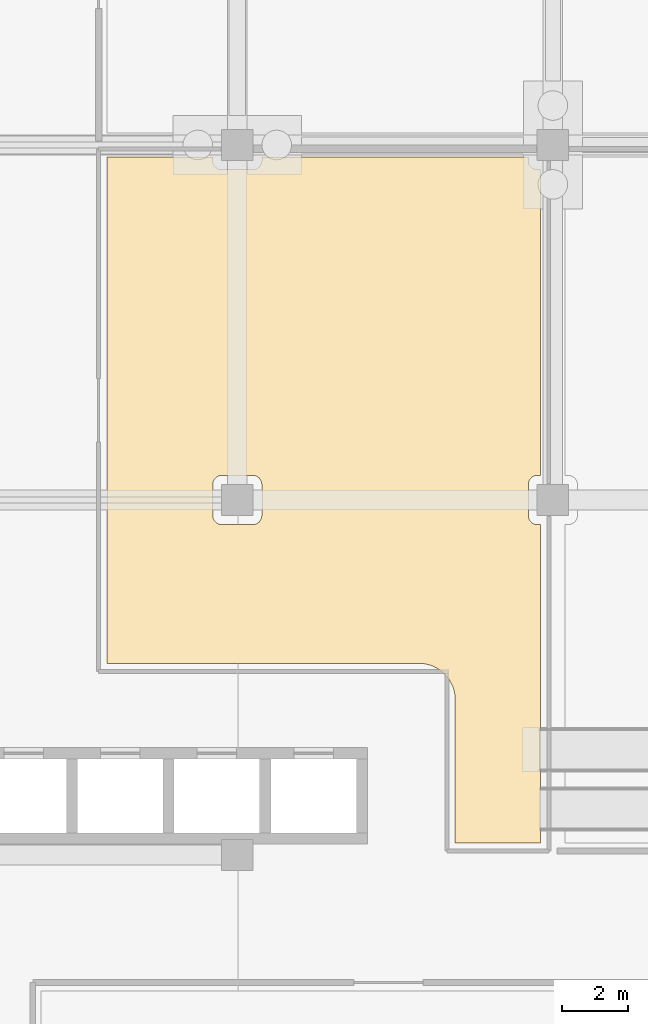
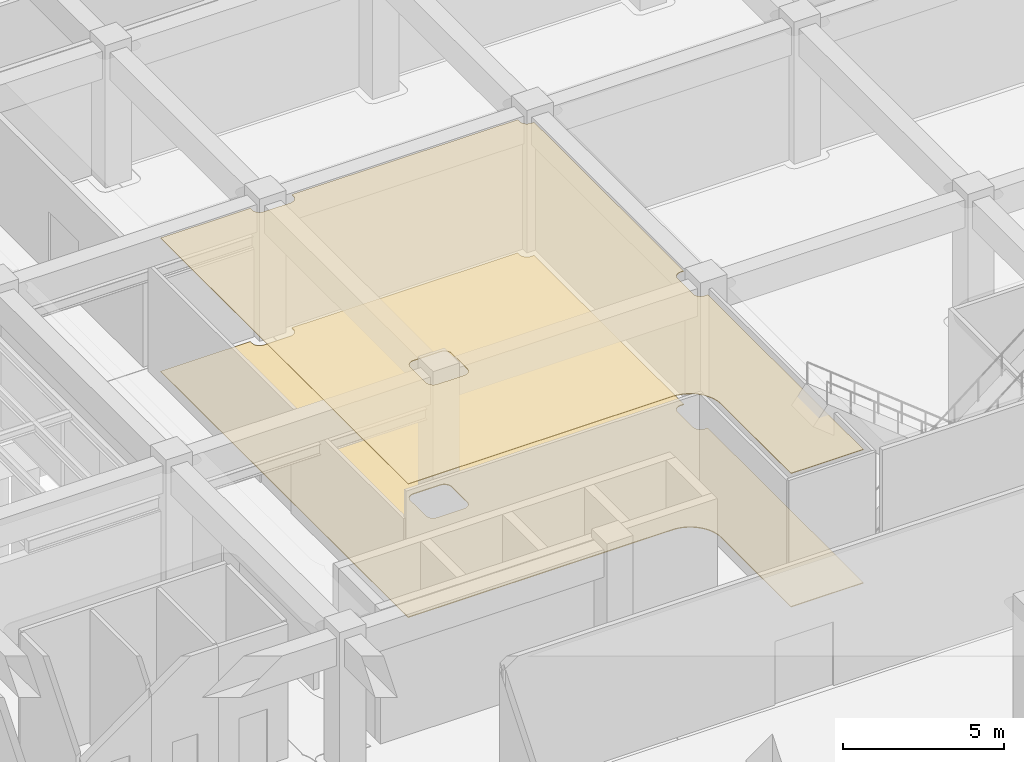
# One storey, part 53 of 74: 2 coverings.
"""IFC4 building model written with IfcOpenShell, lengths in metres."""

from ifc_helpers import new_model, si_unit, direction, frame, origin, place, context, subcontext, project, spatial, polyline, outline, extrude, material, layer, layer_set, type_object, element, save


model = new_model("IFC4")

# Units and contexts
model_context = context("Model", 3, precision=1e-05, world=origin(), true_north=direction((0.0, 1.0)))
body_context = subcontext(model_context, "Body", "Model", "MODEL_VIEW")
ifc_project = project(units=[si_unit("LENGTHUNIT", "METRE"), si_unit("AREAUNIT", "SQUARE_METRE"), si_unit("VOLUMEUNIT", "CUBIC_METRE"), si_unit("PLANEANGLEUNIT", "RADIAN"), si_unit("MASSUNIT", "GRAM", prefix="KILO")], contexts=[model_context])

# Site, building, storey
site_placement = place(None, origin())
site = spatial("IfcSite", under=ifc_project, at=site_placement, CompositionType="ELEMENT")
building_placement = place(site_placement, origin())
building = spatial("IfcBuilding", under=site, at=building_placement, Name="Cendralis Terraced Arcade", CompositionType="ELEMENT")
storey_placement = place(building_placement, origin())
storey = spatial("IfcBuildingStorey", under=building, at=storey_placement, Name="L00", CompositionType="ELEMENT", Elevation=0.0)

# Coverings
ifc_material_1 = material(Name="Gypsum plasterboard acoustic partition")
ifc_layer_1 = layer(ifc_material_1, 0.02490234375, Name="COV-CEIL-ACOU-25")
ifc_layer_set_1 = layer_set([ifc_layer_1], Name="Gypsum plasterboard acoustic partition")
covering_type_1 = type_object("IfcCoveringType", Name="COV-CEIL-ACOU-25", PredefinedType="CEILING", material=ifc_layer_set_1)
covering_1_placement = place(storey_placement, frame((0.0, 0.0, 5.06494140625)))
element("IfcCovering", 1, at=covering_1_placement, inside=storey, type_object=covering_type_1, Name="Acoustic Soffit Ceiling L00-026", PredefinedType="CEILING", context=body_context, shape_type="SweptSolid", body=[
    extrude(outline(polyline([(35.429931640625, 43.123046875), (35.429931640625, 43.1259765625), (35.429931640625, 43.129150390625), (35.4296875, 43.135009765625), (35.4296875, 43.137939453125), (35.429443359375, 43.14111328125), (35.429443359375, 43.14404296875), (35.426513671875, 43.204833984375), (35.426025390625, 43.2109375), (35.425537109375, 43.216796875), (35.425048828125, 43.222900390625), (35.423828125, 43.234619140625), (35.42333984375, 43.24072265625), (35.422607421875, 43.24658203125), (35.421630859375, 43.252685546875), (35.412841796875, 43.31298828125), (35.411865234375, 43.31884765625), (35.410888671875, 43.32470703125), (35.40966796875, 43.330810546875), (35.407470703125, 43.34228515625), (35.406005859375, 43.348388671875), (35.40478515625, 43.35400390625), (35.4033203125, 43.360107421875), (35.388671875, 43.4189453125), (35.38720703125, 43.425048828125), (35.385498046875, 43.4306640625), (35.3837890625, 43.4365234375), (35.38037109375, 43.44775390625), (35.37841796875, 43.45361328125), (35.376708984375, 43.459228515625), (35.374755859375, 43.465087890625), (35.354248046875, 43.522216796875), (35.35205078125, 43.528076171875), (35.349853515625, 43.53369140625), (35.34765625, 43.539306640625), (35.343017578125, 43.55029296875), (35.3408203125, 43.555908203125), (35.33837890625, 43.561279296875), (35.335693359375, 43.56689453125), (35.309814453125, 43.621826171875), (35.30712890625, 43.627197265625), (35.304443359375, 43.632568359375), (35.301513671875, 43.637939453125), (35.2958984375, 43.6484375), (35.293212890625, 43.65380859375), (35.290283203125, 43.658935546875), (35.287109375, 43.664306640625), (35.255859375, 43.71630859375), (35.252685546875, 43.7216796875), (35.24951171875, 43.7265625), (35.24609375, 43.731689453125), (35.239501953125, 43.741455078125), (35.236083984375, 43.74658203125), (35.232666015625, 43.75146484375), (35.22900390625, 43.75634765625), (35.19287109375, 43.80517578125), (35.189208984375, 43.81005859375), (35.185546875, 43.814697265625), (35.181640625, 43.819580078125), (35.17431640625, 43.82861328125), (35.170166015625, 43.833251953125), (35.16650390625, 43.837890625), (35.162353515625, 43.84228515625), (35.12158203125, 43.887451171875), (35.1171875, 43.89208984375), (35.11328125, 43.896240234375), (35.10888671875, 43.900634765625), (35.1005859375, 43.908935546875), (35.09619140625, 43.9130859375), (35.092041015625, 43.917236328125), (35.08740234375, 43.92138671875), (35.04248046875, 43.96240234375), (35.037841796875, 43.96630859375), (35.033203125, 43.97021484375), (35.028564453125, 43.97412109375), (35.01953125, 43.981689453125), (35.0146484375, 43.985595703125), (35.010009765625, 43.989013671875), (35.005126953125, 43.992919921875), (34.956298828125, 44.029052734375), (34.951416015625, 44.03271484375), (34.946533203125, 44.0361328125), (34.94140625, 44.03955078125), (34.931640625, 44.046142578125), (34.926513671875, 44.04931640625), (34.921630859375, 44.052490234375), (34.91650390625, 44.055908203125), (34.8642578125, 44.087158203125), (34.85888671875, 44.090087890625), (34.853759765625, 44.093017578125), (34.848388671875, 44.095947265625), (34.837890625, 44.1015625), (34.83251953125, 44.1044921875), (34.827392578125, 44.107177734375), (34.82177734375, 44.109619140625), (34.766845703125, 44.1357421875), (34.76123046875, 44.13818359375), (34.755859375, 44.140625), (34.750244140625, 44.14306640625), (34.7392578125, 44.147705078125), (34.733642578125, 44.14990234375), (34.72802734375, 44.152099609375), (34.722412109375, 44.154296875), (34.6650390625, 44.1748046875), (34.6591796875, 44.1767578125), (34.65380859375, 44.178466796875), (34.647705078125, 44.180419921875), (34.636474609375, 44.183837890625), (34.630615234375, 44.185546875), (34.625, 44.18701171875), (34.618896484375, 44.188720703125), (34.56005859375, 44.203369140625), (34.553955078125, 44.204833984375), (34.54833984375, 44.2060546875), (34.542236328125, 44.20751953125), (34.53076171875, 44.209716796875), (34.524658203125, 44.210693359375), (34.518798828125, 44.2119140625), (34.512939453125, 44.212890625), (34.45263671875, 44.2216796875), (34.446533203125, 44.222412109375), (34.440673828125, 44.223388671875), (34.4345703125, 44.223876953125), (34.4228515625, 44.22509765625), (34.416748046875, 44.2255859375), (34.410888671875, 44.22607421875), (34.40478515625, 44.226318359375), (34.343994140625, 44.2294921875), (34.341064453125, 44.2294921875), (34.337890625, 44.2294921875), (34.3349609375, 44.229736328125), (34.3291015625, 44.22998046875), (34.325927734375, 44.22998046875), (34.322998046875, 44.22998046875), (34.320068359375, 44.22998046875), (24.830078125, 44.22998046875), (24.830078125, 59.6298828125), (28.054931640625, 59.6298828125), (28.054931640625, 59.52490234375), (28.055419921875, 59.5126953125), (28.055419921875, 59.5107421875), (28.057861328125, 59.486328125), (28.05810546875, 59.484375), (28.06298828125, 59.46044921875), (28.0634765625, 59.45849609375), (28.070556640625, 59.43505859375), (28.071044921875, 59.43310546875), (28.08056640625, 59.410400390625), (28.081298828125, 59.40869140625), (28.093017578125, 59.386962890625), (28.093994140625, 59.385498046875), (28.107666015625, 59.364990234375), (28.108642578125, 59.36328125), (28.124267578125, 59.344482421875), (28.12548828125, 59.343017578125), (28.14306640625, 59.32568359375), (28.144287109375, 59.32421875), (28.163330078125, 59.30859375), (28.1650390625, 59.3076171875), (28.185302734375, 59.2939453125), (28.18701171875, 59.29296875), (28.208740234375, 59.281494140625), (28.21044921875, 59.280517578125), (28.233154296875, 59.27099609375), (28.235107421875, 59.2705078125), (28.25830078125, 59.263427734375), (28.260498046875, 59.262939453125), (28.284423828125, 59.258056640625), (28.286376953125, 59.2578125), (28.310791015625, 59.25537109375), (28.312744140625, 59.25537109375), (28.324951171875, 59.2548828125), (29.27490234375, 59.2548828125), (29.287353515625, 59.25537109375), (29.289306640625, 59.25537109375), (29.313720703125, 59.2578125), (29.315673828125, 59.258056640625), (29.339599609375, 59.262939453125), (29.341552734375, 59.263427734375), (29.364990234375, 59.2705078125), (29.366943359375, 59.27099609375), (29.389404296875, 59.280517578125), (29.391357421875, 59.281494140625), (29.4130859375, 59.29296875), (29.41455078125, 59.2939453125), (29.43505859375, 59.3076171875), (29.4365234375, 59.30859375), (29.45556640625, 59.32421875), (29.45703125, 59.32568359375), (29.474365234375, 59.343017578125), (29.4755859375, 59.344482421875), (29.4912109375, 59.36328125), (29.492431640625, 59.364990234375), (29.506103515625, 59.385498046875), (29.507080078125, 59.386962890625), (29.5185546875, 59.40869140625), (29.51953125, 59.410400390625), (29.52880859375, 59.43310546875), (29.529541015625, 59.43505859375), (29.53662109375, 59.45849609375), (29.537109375, 59.46044921875), (29.5419921875, 59.484375), (29.542236328125, 59.486328125), (29.544677734375, 59.5107421875), (29.544677734375, 59.5126953125), (29.544921875, 59.52490234375), (29.544921875, 59.6298828125), (37.655029296875, 59.6298828125), (37.655029296875, 59.52490234375), (37.6552734375, 59.5126953125), (37.655517578125, 59.5107421875), (37.65771484375, 59.486328125), (37.658203125, 59.484375), (37.662841796875, 59.46044921875), (37.663330078125, 59.45849609375), (37.67041015625, 59.43505859375), (37.671142578125, 59.43310546875), (37.680419921875, 59.410400390625), (37.681396484375, 59.40869140625), (37.69287109375, 59.386962890625), (37.69384765625, 59.385498046875), (37.70751953125, 59.364990234375), (37.708740234375, 59.36328125), (37.724365234375, 59.344482421875), (37.7255859375, 59.343017578125), (37.742919921875, 59.32568359375), (37.744384765625, 59.32421875), (37.763427734375, 59.30859375), (37.764892578125, 59.3076171875), (37.785400390625, 59.2939453125), (37.787109375, 59.29296875), (37.80859375, 59.281494140625), (37.810546875, 59.280517578125), (37.8330078125, 59.27099609375), (37.8349609375, 59.2705078125), (37.8583984375, 59.263427734375), (37.8603515625, 59.262939453125), (37.884521484375, 59.258056640625), (37.886474609375, 59.2578125), (37.910888671875, 59.25537109375), (37.91259765625, 59.25537109375), (37.925048828125, 59.2548828125), (38.030029296875, 59.2548828125), (38.030029296875, 49.945068359375), (37.925048828125, 49.945068359375), (37.91259765625, 49.944580078125), (37.910888671875, 49.944580078125), (37.886474609375, 49.942138671875), (37.884521484375, 49.94189453125), (37.8603515625, 49.93701171875), (37.8583984375, 49.9365234375), (37.8349609375, 49.929443359375), (37.8330078125, 49.928955078125), (37.810546875, 49.91943359375), (37.80859375, 49.918701171875), (37.787109375, 49.906982421875), (37.785400390625, 49.906005859375), (37.764892578125, 49.892333984375), (37.763427734375, 49.891357421875), (37.744384765625, 49.875732421875), (37.742919921875, 49.87451171875), (37.7255859375, 49.85693359375), (37.724365234375, 49.855712890625), (37.708740234375, 49.836669921875), (37.70751953125, 49.8349609375), (37.69384765625, 49.814697265625), (37.69287109375, 49.81298828125), (37.681396484375, 49.791259765625), (37.680419921875, 49.78955078125), (37.671142578125, 49.766845703125), (37.67041015625, 49.764892578125), (37.663330078125, 49.74169921875), (37.662841796875, 49.739501953125), (37.658203125, 49.715576171875), (37.65771484375, 49.713623046875), (37.655517578125, 49.689208984375), (37.6552734375, 49.687255859375), (37.655029296875, 49.675048828125), (37.655029296875, 48.72509765625), (37.6552734375, 48.712646484375), (37.655517578125, 48.710693359375), (37.65771484375, 48.686279296875), (37.658203125, 48.684326171875), (37.662841796875, 48.660400390625), (37.663330078125, 48.658447265625), (37.67041015625, 48.635009765625), (37.671142578125, 48.633056640625), (37.680419921875, 48.610595703125), (37.681396484375, 48.608642578125), (37.69287109375, 48.5869140625), (37.69384765625, 48.58544921875), (37.70751953125, 48.56494140625), (37.708740234375, 48.5634765625), (37.724365234375, 48.54443359375), (37.7255859375, 48.54296875), (37.742919921875, 48.525634765625), (37.744384765625, 48.5244140625), (37.763427734375, 48.5087890625), (37.764892578125, 48.507568359375), (37.785400390625, 48.493896484375), (37.787109375, 48.492919921875), (37.80859375, 48.4814453125), (37.810546875, 48.48046875), (37.8330078125, 48.47119140625), (37.8349609375, 48.470458984375), (37.8583984375, 48.46337890625), (37.8603515625, 48.462890625), (37.884521484375, 48.4580078125), (37.886474609375, 48.457763671875), (37.910888671875, 48.455322265625), (37.91259765625, 48.455322265625), (37.925048828125, 48.455078125), (38.030029296875, 48.455078125), (38.030029296875, 38.77001953125), (35.429931640625, 38.77001953125), (35.429931640625, 43.1201171875), (35.429931640625, 43.123046875)]), holes=[polyline([(28.185302734375, 48.493896484375), (28.18701171875, 48.492919921875), (28.208740234375, 48.4814453125), (28.21044921875, 48.48046875), (28.233154296875, 48.47119140625), (28.235107421875, 48.470458984375), (28.25830078125, 48.46337890625), (28.260498046875, 48.462890625), (28.284423828125, 48.4580078125), (28.286376953125, 48.457763671875), (28.310791015625, 48.455322265625), (28.312744140625, 48.455322265625), (28.324951171875, 48.455078125), (29.27490234375, 48.455078125), (29.287353515625, 48.455322265625), (29.289306640625, 48.455322265625), (29.313720703125, 48.457763671875), (29.315673828125, 48.4580078125), (29.339599609375, 48.462890625), (29.341552734375, 48.46337890625), (29.364990234375, 48.470458984375), (29.366943359375, 48.47119140625), (29.389404296875, 48.48046875), (29.391357421875, 48.4814453125), (29.4130859375, 48.492919921875), (29.41455078125, 48.493896484375), (29.43505859375, 48.507568359375), (29.4365234375, 48.5087890625), (29.45556640625, 48.5244140625), (29.45703125, 48.525634765625), (29.474365234375, 48.54296875), (29.4755859375, 48.54443359375), (29.4912109375, 48.5634765625), (29.492431640625, 48.56494140625), (29.506103515625, 48.58544921875), (29.507080078125, 48.5869140625), (29.5185546875, 48.608642578125), (29.51953125, 48.610595703125), (29.52880859375, 48.633056640625), (29.529541015625, 48.635009765625), (29.53662109375, 48.658447265625), (29.537109375, 48.660400390625), (29.5419921875, 48.684326171875), (29.542236328125, 48.686279296875), (29.544677734375, 48.710693359375), (29.544677734375, 48.712646484375), (29.544921875, 48.72509765625), (29.544921875, 49.675048828125), (29.544677734375, 49.687255859375), (29.544677734375, 49.689208984375), (29.542236328125, 49.713623046875), (29.5419921875, 49.715576171875), (29.537109375, 49.739501953125), (29.53662109375, 49.74169921875), (29.529541015625, 49.764892578125), (29.52880859375, 49.766845703125), (29.51953125, 49.78955078125), (29.5185546875, 49.791259765625), (29.507080078125, 49.81298828125), (29.506103515625, 49.814697265625), (29.492431640625, 49.8349609375), (29.4912109375, 49.836669921875), (29.4755859375, 49.855712890625), (29.474365234375, 49.85693359375), (29.45703125, 49.87451171875), (29.45556640625, 49.875732421875), (29.4365234375, 49.891357421875), (29.43505859375, 49.892333984375), (29.41455078125, 49.906005859375), (29.4130859375, 49.906982421875), (29.391357421875, 49.918701171875), (29.389404296875, 49.91943359375), (29.366943359375, 49.928955078125), (29.364990234375, 49.929443359375), (29.341552734375, 49.9365234375), (29.339599609375, 49.93701171875), (29.315673828125, 49.94189453125), (29.313720703125, 49.942138671875), (29.289306640625, 49.944580078125), (29.287353515625, 49.944580078125), (29.27490234375, 49.945068359375), (28.324951171875, 49.945068359375), (28.312744140625, 49.944580078125), (28.310791015625, 49.944580078125), (28.286376953125, 49.942138671875), (28.284423828125, 49.94189453125), (28.260498046875, 49.93701171875), (28.25830078125, 49.9365234375), (28.235107421875, 49.929443359375), (28.233154296875, 49.928955078125), (28.21044921875, 49.91943359375), (28.208740234375, 49.918701171875), (28.18701171875, 49.906982421875), (28.185302734375, 49.906005859375), (28.1650390625, 49.892333984375), (28.163330078125, 49.891357421875), (28.144287109375, 49.875732421875), (28.14306640625, 49.87451171875), (28.12548828125, 49.85693359375), (28.124267578125, 49.855712890625), (28.108642578125, 49.836669921875), (28.107666015625, 49.8349609375), (28.093994140625, 49.814697265625), (28.093017578125, 49.81298828125), (28.081298828125, 49.791259765625), (28.08056640625, 49.78955078125), (28.071044921875, 49.766845703125), (28.070556640625, 49.764892578125), (28.0634765625, 49.74169921875), (28.06298828125, 49.739501953125), (28.05810546875, 49.715576171875), (28.057861328125, 49.713623046875), (28.055419921875, 49.689208984375), (28.055419921875, 49.687255859375), (28.054931640625, 49.675048828125), (28.054931640625, 48.72509765625), (28.055419921875, 48.712646484375), (28.055419921875, 48.710693359375), (28.057861328125, 48.686279296875), (28.05810546875, 48.684326171875), (28.06298828125, 48.660400390625), (28.0634765625, 48.658447265625), (28.070556640625, 48.635009765625), (28.071044921875, 48.633056640625), (28.08056640625, 48.610595703125), (28.081298828125, 48.608642578125), (28.093017578125, 48.5869140625), (28.093994140625, 48.58544921875), (28.107666015625, 48.56494140625), (28.108642578125, 48.5634765625), (28.124267578125, 48.54443359375), (28.12548828125, 48.54296875), (28.14306640625, 48.525634765625), (28.144287109375, 48.5244140625), (28.163330078125, 48.5087890625), (28.1650390625, 48.507568359375), (28.185302734375, 48.493896484375)])]), origin(), (0.0, 0.0, 1.0), 0.025146484375),
])
ifc_material_2 = material(Name="Polished Bogota limestone terrazzo flooring", Category="masonry")
ifc_layer_2 = layer(ifc_material_2, 0.030029296875, Name="COV-FLR-TERZ-30")
ifc_layer_set_2 = layer_set([ifc_layer_2], Name="Polished Bogota limestone terrazzo flooring")
covering_type_2 = type_object("IfcCoveringType", Name="COV-FLR-TERZ-30", PredefinedType="FLOORING", material=ifc_layer_set_2)
covering_2_placement = place(storey_placement, origin())
element("IfcCovering", 2, at=covering_2_placement, inside=storey, type_object=covering_type_2, Name="Interior Finish Flooring L00-026", PredefinedType="FLOORING", context=body_context, shape_type="SweptSolid", body=[
    extrude(outline(polyline([(35.429931640625, 43.123046875), (35.429931640625, 43.1259765625), (35.429931640625, 43.129150390625), (35.4296875, 43.135009765625), (35.4296875, 43.137939453125), (35.429443359375, 43.14111328125), (35.429443359375, 43.14404296875), (35.426513671875, 43.204833984375), (35.426025390625, 43.2109375), (35.425537109375, 43.216796875), (35.425048828125, 43.222900390625), (35.423828125, 43.234619140625), (35.42333984375, 43.24072265625), (35.422607421875, 43.24658203125), (35.421630859375, 43.252685546875), (35.412841796875, 43.31298828125), (35.411865234375, 43.31884765625), (35.410888671875, 43.32470703125), (35.40966796875, 43.330810546875), (35.407470703125, 43.34228515625), (35.406005859375, 43.348388671875), (35.40478515625, 43.35400390625), (35.4033203125, 43.360107421875), (35.388671875, 43.4189453125), (35.38720703125, 43.425048828125), (35.385498046875, 43.4306640625), (35.3837890625, 43.4365234375), (35.38037109375, 43.44775390625), (35.37841796875, 43.45361328125), (35.376708984375, 43.459228515625), (35.374755859375, 43.465087890625), (35.354248046875, 43.522216796875), (35.35205078125, 43.528076171875), (35.349853515625, 43.53369140625), (35.34765625, 43.539306640625), (35.343017578125, 43.55029296875), (35.3408203125, 43.555908203125), (35.33837890625, 43.561279296875), (35.335693359375, 43.56689453125), (35.309814453125, 43.621826171875), (35.30712890625, 43.627197265625), (35.304443359375, 43.632568359375), (35.301513671875, 43.637939453125), (35.2958984375, 43.6484375), (35.293212890625, 43.65380859375), (35.290283203125, 43.658935546875), (35.287109375, 43.664306640625), (35.255859375, 43.71630859375), (35.252685546875, 43.7216796875), (35.24951171875, 43.7265625), (35.24609375, 43.731689453125), (35.239501953125, 43.741455078125), (35.236083984375, 43.74658203125), (35.232666015625, 43.75146484375), (35.22900390625, 43.75634765625), (35.19287109375, 43.80517578125), (35.189208984375, 43.81005859375), (35.185546875, 43.814697265625), (35.181640625, 43.819580078125), (35.17431640625, 43.82861328125), (35.170166015625, 43.833251953125), (35.16650390625, 43.837890625), (35.162353515625, 43.84228515625), (35.12158203125, 43.887451171875), (35.1171875, 43.89208984375), (35.11328125, 43.896240234375), (35.10888671875, 43.900634765625), (35.1005859375, 43.908935546875), (35.09619140625, 43.9130859375), (35.092041015625, 43.917236328125), (35.08740234375, 43.92138671875), (35.04248046875, 43.96240234375), (35.037841796875, 43.96630859375), (35.033203125, 43.97021484375), (35.028564453125, 43.97412109375), (35.01953125, 43.981689453125), (35.0146484375, 43.985595703125), (35.010009765625, 43.989013671875), (35.005126953125, 43.992919921875), (34.956298828125, 44.029052734375), (34.951416015625, 44.03271484375), (34.946533203125, 44.0361328125), (34.94140625, 44.03955078125), (34.931640625, 44.046142578125), (34.926513671875, 44.04931640625), (34.921630859375, 44.052490234375), (34.91650390625, 44.055908203125), (34.8642578125, 44.087158203125), (34.85888671875, 44.090087890625), (34.853759765625, 44.093017578125), (34.848388671875, 44.095947265625), (34.837890625, 44.1015625), (34.83251953125, 44.1044921875), (34.827392578125, 44.107177734375), (34.82177734375, 44.109619140625), (34.766845703125, 44.1357421875), (34.76123046875, 44.13818359375), (34.755859375, 44.140625), (34.750244140625, 44.14306640625), (34.7392578125, 44.147705078125), (34.733642578125, 44.14990234375), (34.72802734375, 44.152099609375), (34.722412109375, 44.154296875), (34.6650390625, 44.1748046875), (34.6591796875, 44.1767578125), (34.65380859375, 44.178466796875), (34.647705078125, 44.180419921875), (34.636474609375, 44.183837890625), (34.630615234375, 44.185546875), (34.625, 44.18701171875), (34.618896484375, 44.188720703125), (34.56005859375, 44.203369140625), (34.553955078125, 44.204833984375), (34.54833984375, 44.2060546875), (34.542236328125, 44.20751953125), (34.53076171875, 44.209716796875), (34.524658203125, 44.210693359375), (34.518798828125, 44.2119140625), (34.512939453125, 44.212890625), (34.45263671875, 44.2216796875), (34.446533203125, 44.222412109375), (34.440673828125, 44.223388671875), (34.4345703125, 44.223876953125), (34.4228515625, 44.22509765625), (34.416748046875, 44.2255859375), (34.410888671875, 44.22607421875), (34.40478515625, 44.226318359375), (34.343994140625, 44.2294921875), (34.341064453125, 44.2294921875), (34.337890625, 44.2294921875), (34.3349609375, 44.229736328125), (34.3291015625, 44.22998046875), (34.325927734375, 44.22998046875), (34.322998046875, 44.22998046875), (34.320068359375, 44.22998046875), (24.830078125, 44.22998046875), (24.830078125, 59.6298828125), (28.054931640625, 59.6298828125), (28.054931640625, 59.52490234375), (28.055419921875, 59.5126953125), (28.055419921875, 59.5107421875), (28.057861328125, 59.486328125), (28.05810546875, 59.484375), (28.06298828125, 59.46044921875), (28.0634765625, 59.45849609375), (28.070556640625, 59.43505859375), (28.071044921875, 59.43310546875), (28.08056640625, 59.410400390625), (28.081298828125, 59.40869140625), (28.093017578125, 59.386962890625), (28.093994140625, 59.385498046875), (28.107666015625, 59.364990234375), (28.108642578125, 59.36328125), (28.124267578125, 59.344482421875), (28.12548828125, 59.343017578125), (28.14306640625, 59.32568359375), (28.144287109375, 59.32421875), (28.163330078125, 59.30859375), (28.1650390625, 59.3076171875), (28.185302734375, 59.2939453125), (28.18701171875, 59.29296875), (28.208740234375, 59.281494140625), (28.21044921875, 59.280517578125), (28.233154296875, 59.27099609375), (28.235107421875, 59.2705078125), (28.25830078125, 59.263427734375), (28.260498046875, 59.262939453125), (28.284423828125, 59.258056640625), (28.286376953125, 59.2578125), (28.310791015625, 59.25537109375), (28.312744140625, 59.25537109375), (28.324951171875, 59.2548828125), (29.27490234375, 59.2548828125), (29.287353515625, 59.25537109375), (29.289306640625, 59.25537109375), (29.313720703125, 59.2578125), (29.315673828125, 59.258056640625), (29.339599609375, 59.262939453125), (29.341552734375, 59.263427734375), (29.364990234375, 59.2705078125), (29.366943359375, 59.27099609375), (29.389404296875, 59.280517578125), (29.391357421875, 59.281494140625), (29.4130859375, 59.29296875), (29.41455078125, 59.2939453125), (29.43505859375, 59.3076171875), (29.4365234375, 59.30859375), (29.45556640625, 59.32421875), (29.45703125, 59.32568359375), (29.474365234375, 59.343017578125), (29.4755859375, 59.344482421875), (29.4912109375, 59.36328125), (29.492431640625, 59.364990234375), (29.506103515625, 59.385498046875), (29.507080078125, 59.386962890625), (29.5185546875, 59.40869140625), (29.51953125, 59.410400390625), (29.52880859375, 59.43310546875), (29.529541015625, 59.43505859375), (29.53662109375, 59.45849609375), (29.537109375, 59.46044921875), (29.5419921875, 59.484375), (29.542236328125, 59.486328125), (29.544677734375, 59.5107421875), (29.544677734375, 59.5126953125), (29.544921875, 59.52490234375), (29.544921875, 59.6298828125), (37.655029296875, 59.6298828125), (37.655029296875, 59.52490234375), (37.6552734375, 59.5126953125), (37.655517578125, 59.5107421875), (37.65771484375, 59.486328125), (37.658203125, 59.484375), (37.662841796875, 59.46044921875), (37.663330078125, 59.45849609375), (37.67041015625, 59.43505859375), (37.671142578125, 59.43310546875), (37.680419921875, 59.410400390625), (37.681396484375, 59.40869140625), (37.69287109375, 59.386962890625), (37.69384765625, 59.385498046875), (37.70751953125, 59.364990234375), (37.708740234375, 59.36328125), (37.724365234375, 59.344482421875), (37.7255859375, 59.343017578125), (37.742919921875, 59.32568359375), (37.744384765625, 59.32421875), (37.763427734375, 59.30859375), (37.764892578125, 59.3076171875), (37.785400390625, 59.2939453125), (37.787109375, 59.29296875), (37.80859375, 59.281494140625), (37.810546875, 59.280517578125), (37.8330078125, 59.27099609375), (37.8349609375, 59.2705078125), (37.8583984375, 59.263427734375), (37.8603515625, 59.262939453125), (37.884521484375, 59.258056640625), (37.886474609375, 59.2578125), (37.910888671875, 59.25537109375), (37.91259765625, 59.25537109375), (37.925048828125, 59.2548828125), (38.030029296875, 59.2548828125), (38.030029296875, 49.945068359375), (37.925048828125, 49.945068359375), (37.91259765625, 49.944580078125), (37.910888671875, 49.944580078125), (37.886474609375, 49.942138671875), (37.884521484375, 49.94189453125), (37.8603515625, 49.93701171875), (37.8583984375, 49.9365234375), (37.8349609375, 49.929443359375), (37.8330078125, 49.928955078125), (37.810546875, 49.91943359375), (37.80859375, 49.918701171875), (37.787109375, 49.906982421875), (37.785400390625, 49.906005859375), (37.764892578125, 49.892333984375), (37.763427734375, 49.891357421875), (37.744384765625, 49.875732421875), (37.742919921875, 49.87451171875), (37.7255859375, 49.85693359375), (37.724365234375, 49.855712890625), (37.708740234375, 49.836669921875), (37.70751953125, 49.8349609375), (37.69384765625, 49.814697265625), (37.69287109375, 49.81298828125), (37.681396484375, 49.791259765625), (37.680419921875, 49.78955078125), (37.671142578125, 49.766845703125), (37.67041015625, 49.764892578125), (37.663330078125, 49.74169921875), (37.662841796875, 49.739501953125), (37.658203125, 49.715576171875), (37.65771484375, 49.713623046875), (37.655517578125, 49.689208984375), (37.6552734375, 49.687255859375), (37.655029296875, 49.675048828125), (37.655029296875, 48.72509765625), (37.6552734375, 48.712646484375), (37.655517578125, 48.710693359375), (37.65771484375, 48.686279296875), (37.658203125, 48.684326171875), (37.662841796875, 48.660400390625), (37.663330078125, 48.658447265625), (37.67041015625, 48.635009765625), (37.671142578125, 48.633056640625), (37.680419921875, 48.610595703125), (37.681396484375, 48.608642578125), (37.69287109375, 48.5869140625), (37.69384765625, 48.58544921875), (37.70751953125, 48.56494140625), (37.708740234375, 48.5634765625), (37.724365234375, 48.54443359375), (37.7255859375, 48.54296875), (37.742919921875, 48.525634765625), (37.744384765625, 48.5244140625), (37.763427734375, 48.5087890625), (37.764892578125, 48.507568359375), (37.785400390625, 48.493896484375), (37.787109375, 48.492919921875), (37.80859375, 48.4814453125), (37.810546875, 48.48046875), (37.8330078125, 48.47119140625), (37.8349609375, 48.470458984375), (37.8583984375, 48.46337890625), (37.8603515625, 48.462890625), (37.884521484375, 48.4580078125), (37.886474609375, 48.457763671875), (37.910888671875, 48.455322265625), (37.91259765625, 48.455322265625), (37.925048828125, 48.455078125), (38.030029296875, 48.455078125), (38.030029296875, 38.77001953125), (35.429931640625, 38.77001953125), (35.429931640625, 43.1201171875), (35.429931640625, 43.123046875)]), holes=[polyline([(28.185302734375, 48.493896484375), (28.18701171875, 48.492919921875), (28.208740234375, 48.4814453125), (28.21044921875, 48.48046875), (28.233154296875, 48.47119140625), (28.235107421875, 48.470458984375), (28.25830078125, 48.46337890625), (28.260498046875, 48.462890625), (28.284423828125, 48.4580078125), (28.286376953125, 48.457763671875), (28.310791015625, 48.455322265625), (28.312744140625, 48.455322265625), (28.324951171875, 48.455078125), (29.27490234375, 48.455078125), (29.287353515625, 48.455322265625), (29.289306640625, 48.455322265625), (29.313720703125, 48.457763671875), (29.315673828125, 48.4580078125), (29.339599609375, 48.462890625), (29.341552734375, 48.46337890625), (29.364990234375, 48.470458984375), (29.366943359375, 48.47119140625), (29.389404296875, 48.48046875), (29.391357421875, 48.4814453125), (29.4130859375, 48.492919921875), (29.41455078125, 48.493896484375), (29.43505859375, 48.507568359375), (29.4365234375, 48.5087890625), (29.45556640625, 48.5244140625), (29.45703125, 48.525634765625), (29.474365234375, 48.54296875), (29.4755859375, 48.54443359375), (29.4912109375, 48.5634765625), (29.492431640625, 48.56494140625), (29.506103515625, 48.58544921875), (29.507080078125, 48.5869140625), (29.5185546875, 48.608642578125), (29.51953125, 48.610595703125), (29.52880859375, 48.633056640625), (29.529541015625, 48.635009765625), (29.53662109375, 48.658447265625), (29.537109375, 48.660400390625), (29.5419921875, 48.684326171875), (29.542236328125, 48.686279296875), (29.544677734375, 48.710693359375), (29.544677734375, 48.712646484375), (29.544921875, 48.72509765625), (29.544921875, 49.675048828125), (29.544677734375, 49.687255859375), (29.544677734375, 49.689208984375), (29.542236328125, 49.713623046875), (29.5419921875, 49.715576171875), (29.537109375, 49.739501953125), (29.53662109375, 49.74169921875), (29.529541015625, 49.764892578125), (29.52880859375, 49.766845703125), (29.51953125, 49.78955078125), (29.5185546875, 49.791259765625), (29.507080078125, 49.81298828125), (29.506103515625, 49.814697265625), (29.492431640625, 49.8349609375), (29.4912109375, 49.836669921875), (29.4755859375, 49.855712890625), (29.474365234375, 49.85693359375), (29.45703125, 49.87451171875), (29.45556640625, 49.875732421875), (29.4365234375, 49.891357421875), (29.43505859375, 49.892333984375), (29.41455078125, 49.906005859375), (29.4130859375, 49.906982421875), (29.391357421875, 49.918701171875), (29.389404296875, 49.91943359375), (29.366943359375, 49.928955078125), (29.364990234375, 49.929443359375), (29.341552734375, 49.9365234375), (29.339599609375, 49.93701171875), (29.315673828125, 49.94189453125), (29.313720703125, 49.942138671875), (29.289306640625, 49.944580078125), (29.287353515625, 49.944580078125), (29.27490234375, 49.945068359375), (28.324951171875, 49.945068359375), (28.312744140625, 49.944580078125), (28.310791015625, 49.944580078125), (28.286376953125, 49.942138671875), (28.284423828125, 49.94189453125), (28.260498046875, 49.93701171875), (28.25830078125, 49.9365234375), (28.235107421875, 49.929443359375), (28.233154296875, 49.928955078125), (28.21044921875, 49.91943359375), (28.208740234375, 49.918701171875), (28.18701171875, 49.906982421875), (28.185302734375, 49.906005859375), (28.1650390625, 49.892333984375), (28.163330078125, 49.891357421875), (28.144287109375, 49.875732421875), (28.14306640625, 49.87451171875), (28.12548828125, 49.85693359375), (28.124267578125, 49.855712890625), (28.108642578125, 49.836669921875), (28.107666015625, 49.8349609375), (28.093994140625, 49.814697265625), (28.093017578125, 49.81298828125), (28.081298828125, 49.791259765625), (28.08056640625, 49.78955078125), (28.071044921875, 49.766845703125), (28.070556640625, 49.764892578125), (28.0634765625, 49.74169921875), (28.06298828125, 49.739501953125), (28.05810546875, 49.715576171875), (28.057861328125, 49.713623046875), (28.055419921875, 49.689208984375), (28.055419921875, 49.687255859375), (28.054931640625, 49.675048828125), (28.054931640625, 48.72509765625), (28.055419921875, 48.712646484375), (28.055419921875, 48.710693359375), (28.057861328125, 48.686279296875), (28.05810546875, 48.684326171875), (28.06298828125, 48.660400390625), (28.0634765625, 48.658447265625), (28.070556640625, 48.635009765625), (28.071044921875, 48.633056640625), (28.08056640625, 48.610595703125), (28.081298828125, 48.608642578125), (28.093017578125, 48.5869140625), (28.093994140625, 48.58544921875), (28.107666015625, 48.56494140625), (28.108642578125, 48.5634765625), (28.124267578125, 48.54443359375), (28.12548828125, 48.54296875), (28.14306640625, 48.525634765625), (28.144287109375, 48.5244140625), (28.163330078125, 48.5087890625), (28.1650390625, 48.507568359375), (28.185302734375, 48.493896484375)])]), origin(), (0.0, 0.0, 1.0), 0.030029296875),
])

save(model, "model.ifc")
